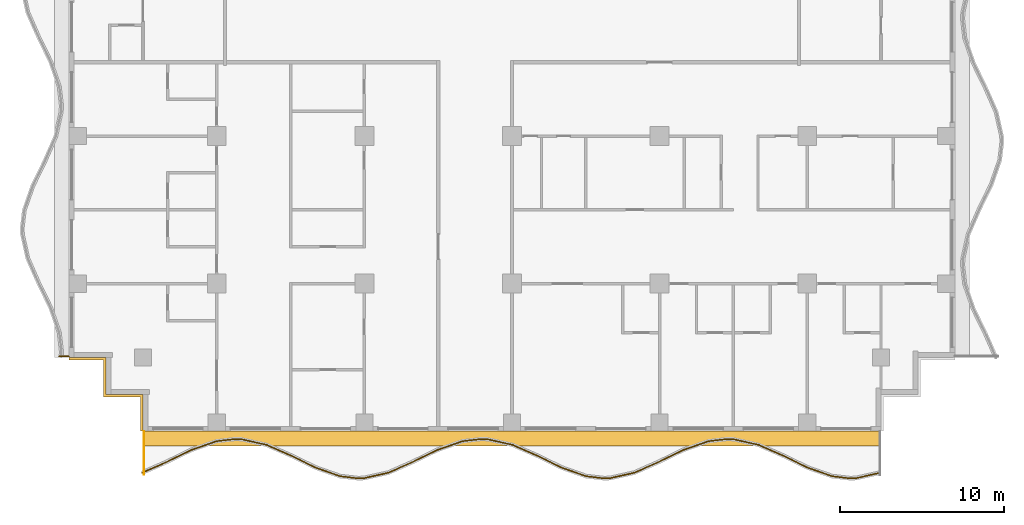
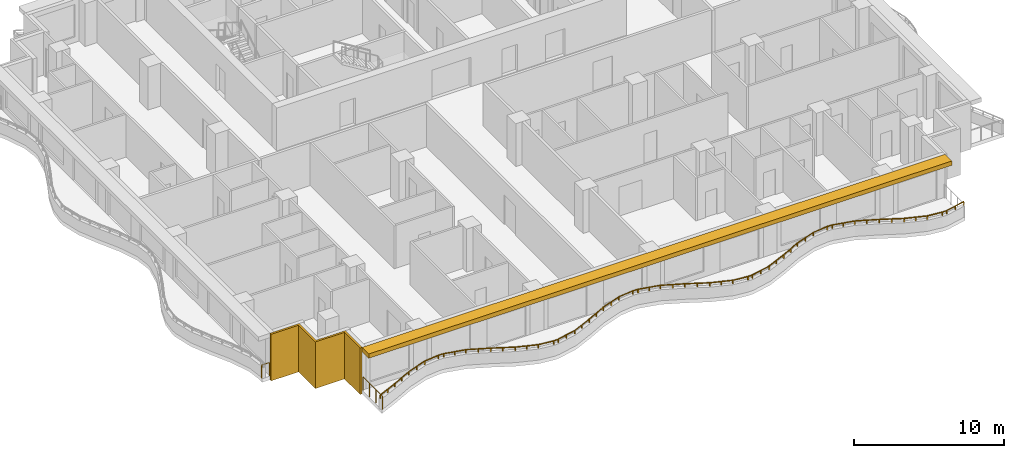
# One storey, part 8 of 11: 3 railings, 2 shading devices.
"""IFC4 building model written with IfcOpenShell, lengths in metres."""

from ifc_helpers import new_model, si_unit, direction, frame, origin, origin_2d, place, context, subcontext, project, spatial, polyline, rectangle, outline, extrude, material, layer, layer_set, type_object, element, save


model = new_model("IFC4")

# Units and contexts
model_context = context("Model", 3, precision=1e-05, world=origin(), true_north=direction((0.0, 1.0)))
body_context = subcontext(model_context, "Body", "Model", "MODEL_VIEW")
ifc_project = project(units=[si_unit("LENGTHUNIT", "METRE"), si_unit("AREAUNIT", "SQUARE_METRE"), si_unit("VOLUMEUNIT", "CUBIC_METRE"), si_unit("PLANEANGLEUNIT", "RADIAN"), si_unit("MASSUNIT", "GRAM", prefix="KILO")], contexts=[model_context])

# Site, building, storey
site_placement = place(None, origin())
site = spatial("IfcSite", under=ifc_project, at=site_placement, CompositionType="ELEMENT")
building_placement = place(site_placement, origin())
building = spatial("IfcBuilding", under=site, at=building_placement, Name="Orbiselva Terraces", CompositionType="ELEMENT")
storey_placement = place(building_placement, frame((0.0, 0.0, 192.0)))
storey = spatial("IfcBuildingStorey", under=building, at=storey_placement, Name="L48", CompositionType="ELEMENT", Elevation=192.0)

# Railings
ifc_material_1 = material(Name="Bonded two-ply safety glass balustrade, stainless steel posts", Category="steel")
railing_type_1 = type_object("IfcRailingType", Name="ENV-BALUSTRADE-1200", PredefinedType="BALUSTRADE", material=ifc_material_1)
railing_1_placement = place(storey_placement, frame((-22.550394, -25.034136, 0.9)))
element("IfcRailing", 1, at=railing_1_placement, inside=storey, type_object=railing_type_1, Name="Balcony balustrade L48 S", PredefinedType="BALUSTRADE", context=body_context, shape_type="SweptSolid", body=[
    extrude(outline(polyline([(0.028868, 0.0), (0.014434, 0.025), (-0.014434, 0.025), (-0.028868, 0.0), (-0.014434, -0.025), (0.014434, -0.025), (0.028868, 0.0)])), frame((0.0, 0.0, 0.275), z_axis=(0.915133498047, 0.403150940408, 0.0), x_axis=(-0.403150940408, 0.915133498047, 0.0)), (0.0, 0.0, 1.0), 1.636648),
    extrude(outline(polyline([(0.028868, 0.0), (0.014434, 0.025), (-0.014434, 0.025), (-0.028868, 0.0), (-0.014434, -0.025), (0.014434, -0.025), (0.028868, 0.0)])), frame((1.497751, 0.659816, 0.275), z_axis=(0.898578870221, 0.438812048596, 0.0), x_axis=(-0.438812048596, 0.898578870221, 0.0)), (0.0, 0.0, 1.0), 1.674225),
    extrude(outline(polyline([(0.028868, 0.0), (0.014434, 0.025), (-0.014434, 0.025), (-0.028868, 0.0), (-0.014434, -0.025), (0.014434, -0.025), (0.028868, 0.0)])), frame((3.002174, 1.394486, 0.275), z_axis=(0.943972332783, 0.330024597479, 0.0), x_axis=(-0.330024597479, 0.943972332783, 0.0)), (0.0, 0.0, 1.0), 1.610253),
    extrude(outline(polyline([(0.028868, 0.0), (0.014434, 0.025), (-0.014434, 0.025), (-0.028868, 0.0), (-0.014434, -0.025), (0.014434, -0.025), (0.028868, 0.0)])), frame((4.522208, 1.925909, 0.275), z_axis=(0.993309551734, 0.115482182324, 0.0), x_axis=(-0.115482182324, 0.993309551734, 0.0)), (0.0, 0.0, 1.0), 1.156135),
    extrude(outline(polyline([(0.028868, 0.0), (0.014434, 0.025), (-0.014434, 0.025), (-0.028868, 0.0), (-0.014434, -0.025), (0.014434, -0.025), (0.028868, 0.0)])), frame((5.670608, 2.059422, 0.275), z_axis=(0.999224734286, -0.03936915532, 0.0), x_axis=(0.03936915532, 0.999224734286, 0.0)), (0.0, 0.0, 1.0), 0.396376),
    extrude(outline(polyline([(0.028868, 0.0), (0.014434, 0.025), (-0.014434, 0.025), (-0.028868, 0.0), (-0.014434, -0.025), (0.014434, -0.025), (0.028868, 0.0)])), frame((6.066677, 2.043817, 0.275), z_axis=(0.97572137947, -0.219015500924, 0.0), x_axis=(0.219015500924, 0.97572137947, 0.0)), (0.0, 0.0, 1.0), 1.560867),
    extrude(outline(polyline([(0.028868, 0.0), (0.014434, 0.025), (-0.014434, 0.025), (-0.028868, 0.0), (-0.014434, -0.025), (0.014434, -0.025), (0.028868, 0.0)])), frame((7.589648, 1.701963, 0.275), z_axis=(0.915133527237, -0.403150874148, 0.0), x_axis=(0.403150874148, 0.915133527237, 0.0)), (0.0, 0.0, 1.0), 1.653736),
    extrude(outline(polyline([(0.028868, 0.0), (0.014434, 0.025), (-0.014434, 0.025), (-0.028868, 0.0), (-0.014434, -0.025), (0.014434, -0.025), (0.028868, 0.0)])), frame((9.103037, 1.035258, 0.275), z_axis=(0.89857890432, -0.438811978768, 0.0), x_axis=(0.438811978768, 0.89857890432, 0.0)), (0.0, 0.0, 1.0), 1.66438),
    extrude(outline(polyline([(0.028868, 0.0), (0.014434, 0.025), (-0.014434, 0.025), (-0.028868, 0.0), (-0.014434, -0.025), (0.014434, -0.025), (0.028868, 0.0)])), frame((10.598614, 0.304908, 0.275), z_axis=(0.943972277814, -0.330024754707, 0.0), x_axis=(0.330024754707, 0.943972277814, 0.0)), (0.0, 0.0, 1.0), 1.567807),
    extrude(outline(polyline([(0.028868, 0.0), (0.014434, 0.025), (-0.014434, 0.025), (-0.028868, 0.0), (-0.014434, -0.025), (0.014434, -0.025), (0.028868, 0.0)])), frame((12.07858, -0.212507, 0.275), z_axis=(0.993309658409, -0.115481264762, 0.0), x_axis=(0.115481264762, 0.993309658409, 0.0)), (0.0, 0.0, 1.0), 1.10902),
    extrude(outline(polyline([(0.028868, 0.0), (0.014434, 0.025), (-0.014434, 0.025), (-0.028868, 0.0), (-0.014434, -0.025), (0.014434, -0.025), (0.028868, 0.0)])), frame((13.18018, -0.340578, 0.275), z_axis=(0.999224931454, 0.039364150694, 0.0), x_axis=(-0.039364150694, 0.999224931454, 0.0)), (0.0, 0.0, 1.0), 0.354206),
    extrude(outline(polyline([(0.028868, 0.0), (0.014434, 0.025), (-0.014434, 0.025), (-0.028868, 0.0), (-0.014434, -0.025), (0.014434, -0.025), (0.028868, 0.0)])), frame((13.534111, -0.326635, 0.275), z_axis=(0.975721325753, 0.219015740235, 0.0), x_axis=(-0.219015740235, 0.975721325753, 0.0)), (0.0, 0.0, 1.0), 1.513782),
    extrude(outline(polyline([(0.028868, 0.0), (0.014434, 0.025), (-0.014434, 0.025), (-0.028868, 0.0), (-0.014434, -0.025), (0.014434, -0.025), (0.028868, 0.0)])), frame((15.01114, 0.004907, 0.275), z_axis=(0.915133363686, 0.403151245402, 0.0), x_axis=(-0.403151245402, 0.915133363686, 0.0)), (0.0, 0.0, 1.0), 1.624475),
    extrude(outline(polyline([(0.028868, 0.0), (0.014434, 0.025), (-0.014434, 0.025), (-0.028868, 0.0), (-0.014434, -0.025), (0.014434, -0.025), (0.028868, 0.0)])), frame((16.497751, 0.659816, 0.275), z_axis=(0.898578870221, 0.438812048596, 0.0), x_axis=(-0.438812048596, 0.898578870221, 0.0)), (0.0, 0.0, 1.0), 1.674225),
    extrude(outline(polyline([(0.028868, 0.0), (0.014434, 0.025), (-0.014434, 0.025), (-0.028868, 0.0), (-0.014434, -0.025), (0.014434, -0.025), (0.028868, 0.0)])), frame((18.002174, 1.394486, 0.275), z_axis=(0.943972332783, 0.330024597479, 0.0), x_axis=(-0.330024597479, 0.943972332783, 0.0)), (0.0, 0.0, 1.0), 1.610253),
    extrude(outline(polyline([(0.028868, 0.0), (0.014434, 0.025), (-0.014434, 0.025), (-0.028868, 0.0), (-0.014434, -0.025), (0.014434, -0.025), (0.028868, 0.0)])), frame((19.522208, 1.925909, 0.275), z_axis=(0.993309551734, 0.115482182324, 0.0), x_axis=(-0.115482182324, 0.993309551734, 0.0)), (0.0, 0.0, 1.0), 1.156135),
    extrude(outline(polyline([(0.028868, 0.0), (0.014434, 0.025), (-0.014434, 0.025), (-0.028868, 0.0), (-0.014434, -0.025), (0.014434, -0.025), (0.028868, 0.0)])), frame((20.670608, 2.059422, 0.275), z_axis=(0.999224734286, -0.03936915532, 0.0), x_axis=(0.03936915532, 0.999224734286, 0.0)), (0.0, 0.0, 1.0), 0.396376),
    extrude(outline(polyline([(0.028868, 0.0), (0.014434, 0.025), (-0.014434, 0.025), (-0.028868, 0.0), (-0.014434, -0.025), (0.014434, -0.025), (0.028868, 0.0)])), frame((21.066677, 2.043817, 0.275), z_axis=(0.97572137947, -0.219015500924, 0.0), x_axis=(0.219015500924, 0.97572137947, 0.0)), (0.0, 0.0, 1.0), 1.560867),
    extrude(outline(polyline([(0.028868, 0.0), (0.014434, 0.025), (-0.014434, 0.025), (-0.028868, 0.0), (-0.014434, -0.025), (0.014434, -0.025), (0.028868, 0.0)])), frame((22.589648, 1.701963, 0.275), z_axis=(0.915133527237, -0.403150874148, 0.0), x_axis=(0.403150874148, 0.915133527237, 0.0)), (0.0, 0.0, 1.0), 1.653736),
    extrude(outline(polyline([(0.028868, 0.0), (0.014434, 0.025), (-0.014434, 0.025), (-0.028868, 0.0), (-0.014434, -0.025), (0.014434, -0.025), (0.028868, 0.0)])), frame((24.103037, 1.035258, 0.275), z_axis=(0.89857890432, -0.438811978768, 0.0), x_axis=(0.438811978768, 0.89857890432, 0.0)), (0.0, 0.0, 1.0), 1.66438),
    extrude(outline(polyline([(0.028868, 0.0), (0.014434, 0.025), (-0.014434, 0.025), (-0.028868, 0.0), (-0.014434, -0.025), (0.014434, -0.025), (0.028868, 0.0)])), frame((25.598614, 0.304908, 0.275), z_axis=(0.943972277814, -0.330024754707, 0.0), x_axis=(0.330024754707, 0.943972277814, 0.0)), (0.0, 0.0, 1.0), 1.567807),
    extrude(outline(polyline([(0.028868, 0.0), (0.014434, 0.025), (-0.014434, 0.025), (-0.028868, 0.0), (-0.014434, -0.025), (0.014434, -0.025), (0.028868, 0.0)])), frame((27.07858, -0.212507, 0.275), z_axis=(0.993309658409, -0.115481264762, 0.0), x_axis=(0.115481264762, 0.993309658409, 0.0)), (0.0, 0.0, 1.0), 1.10902),
    extrude(outline(polyline([(0.028868, 0.0), (0.014434, 0.025), (-0.014434, 0.025), (-0.028868, 0.0), (-0.014434, -0.025), (0.014434, -0.025), (0.028868, 0.0)])), frame((28.18018, -0.340578, 0.275), z_axis=(0.999224931454, 0.039364150694, 0.0), x_axis=(-0.039364150694, 0.999224931454, 0.0)), (0.0, 0.0, 1.0), 0.354206),
    extrude(outline(polyline([(0.028868, 0.0), (0.014434, 0.025), (-0.014434, 0.025), (-0.028868, 0.0), (-0.014434, -0.025), (0.014434, -0.025), (0.028868, 0.0)])), frame((28.534111, -0.326635, 0.275), z_axis=(0.975721325753, 0.219015740235, 0.0), x_axis=(-0.219015740235, 0.975721325753, 0.0)), (0.0, 0.0, 1.0), 1.513782),
    extrude(outline(polyline([(0.028868, 0.0), (0.014434, 0.025), (-0.014434, 0.025), (-0.028868, 0.0), (-0.014434, -0.025), (0.014434, -0.025), (0.028868, 0.0)])), frame((30.01114, 0.004907, 0.275), z_axis=(0.915133363686, 0.403151245402, 0.0), x_axis=(-0.403151245402, 0.915133363686, 0.0)), (0.0, 0.0, 1.0), 1.624475),
    extrude(outline(polyline([(0.028868, 0.0), (0.014434, 0.025), (-0.014434, 0.025), (-0.028868, 0.0), (-0.014434, -0.025), (0.014434, -0.025), (0.028868, 0.0)])), frame((31.497751, 0.659816, 0.275), z_axis=(0.898578870221, 0.438812048596, 0.0), x_axis=(-0.438812048596, 0.898578870221, 0.0)), (0.0, 0.0, 1.0), 1.674225),
    extrude(outline(polyline([(0.028868, 0.0), (0.014434, 0.025), (-0.014434, 0.025), (-0.028868, 0.0), (-0.014434, -0.025), (0.014434, -0.025), (0.028868, 0.0)])), frame((33.002174, 1.394486, 0.275), z_axis=(0.943972332783, 0.330024597479, 0.0), x_axis=(-0.330024597479, 0.943972332783, 0.0)), (0.0, 0.0, 1.0), 1.610253),
    extrude(outline(polyline([(0.028868, 0.0), (0.014434, 0.025), (-0.014434, 0.025), (-0.028868, 0.0), (-0.014434, -0.025), (0.014434, -0.025), (0.028868, 0.0)])), frame((34.522208, 1.925909, 0.275), z_axis=(0.993309551734, 0.115482182324, 0.0), x_axis=(-0.115482182324, 0.993309551734, 0.0)), (0.0, 0.0, 1.0), 1.156135),
    extrude(outline(polyline([(0.028868, 0.0), (0.014434, 0.025), (-0.014434, 0.025), (-0.028868, 0.0), (-0.014434, -0.025), (0.014434, -0.025), (0.028868, 0.0)])), frame((35.670608, 2.059422, 0.275), z_axis=(0.999224734286, -0.03936915532, 0.0), x_axis=(0.03936915532, 0.999224734286, 0.0)), (0.0, 0.0, 1.0), 0.396376),
    extrude(outline(polyline([(0.028868, 0.0), (0.014434, 0.025), (-0.014434, 0.025), (-0.028868, 0.0), (-0.014434, -0.025), (0.014434, -0.025), (0.028868, 0.0)])), frame((36.066677, 2.043817, 0.275), z_axis=(0.97572137947, -0.219015500924, 0.0), x_axis=(0.219015500924, 0.97572137947, 0.0)), (0.0, 0.0, 1.0), 1.560867),
    extrude(outline(polyline([(0.028868, 0.0), (0.014434, 0.025), (-0.014434, 0.025), (-0.028868, 0.0), (-0.014434, -0.025), (0.014434, -0.025), (0.028868, 0.0)])), frame((37.589648, 1.701963, 0.275), z_axis=(0.915133527237, -0.403150874148, 0.0), x_axis=(0.403150874148, 0.915133527237, 0.0)), (0.0, 0.0, 1.0), 1.653736),
    extrude(outline(polyline([(0.028868, 0.0), (0.014434, 0.025), (-0.014434, 0.025), (-0.028868, 0.0), (-0.014434, -0.025), (0.014434, -0.025), (0.028868, 0.0)])), frame((39.103037, 1.035258, 0.275), z_axis=(0.89857890432, -0.438811978768, 0.0), x_axis=(0.438811978768, 0.89857890432, 0.0)), (0.0, 0.0, 1.0), 1.66438),
    extrude(outline(polyline([(0.028868, 0.0), (0.014434, 0.025), (-0.014434, 0.025), (-0.028868, 0.0), (-0.014434, -0.025), (0.014434, -0.025), (0.028868, 0.0)])), frame((40.598614, 0.304908, 0.275), z_axis=(0.943972277814, -0.330024754707, 0.0), x_axis=(0.330024754707, 0.943972277814, 0.0)), (0.0, 0.0, 1.0), 1.567807),
    extrude(outline(polyline([(0.028868, 0.0), (0.014434, 0.025), (-0.014434, 0.025), (-0.028868, 0.0), (-0.014434, -0.025), (0.014434, -0.025), (0.028868, 0.0)])), frame((42.07858, -0.212507, 0.275), z_axis=(0.993309658409, -0.115481264762, 0.0), x_axis=(0.115481264762, 0.993309658409, 0.0)), (0.0, 0.0, 1.0), 1.10902),
    extrude(outline(polyline([(0.028868, 0.0), (0.014434, 0.025), (-0.014434, 0.025), (-0.028868, 0.0), (-0.014434, -0.025), (0.014434, -0.025), (0.028868, 0.0)])), frame((43.18018, -0.340578, 0.275), z_axis=(0.999224931454, 0.039364150694, 0.0), x_axis=(-0.039364150694, 0.999224931454, 0.0)), (0.0, 0.0, 1.0), 0.354206),
    extrude(outline(polyline([(0.028868, 0.0), (0.014434, 0.025), (-0.014434, 0.025), (-0.028868, 0.0), (-0.014434, -0.025), (0.014434, -0.025), (0.028868, 0.0)])), frame((43.534111, -0.326635, 0.275), z_axis=(0.975721322437, 0.21901575501, 0.0), x_axis=(-0.21901575501, 0.975721322437, 0.0)), (0.0, 0.0, 1.0), 1.525954),
    extrude(rectangle(XDim=0.05, YDim=0.05, at=origin_2d()), origin(), (0.0, 0.0, 1.0), 0.25),
    extrude(rectangle(XDim=0.05, YDim=0.05, at=origin_2d()), frame((0.748876, 0.329908, 0.0)), (0.0, 0.0, 1.0), 0.25),
    extrude(rectangle(XDim=0.05, YDim=0.05, at=origin_2d()), frame((1.497751, 0.659816, 0.0)), (0.0, 0.0, 1.0), 0.25),
    extrude(rectangle(XDim=0.05, YDim=0.05, at=origin_2d()), frame((2.249963, 1.027151, 0.0)), (0.0, 0.0, 1.0), 0.25),
    extrude(rectangle(XDim=0.05, YDim=0.05, at=origin_2d()), frame((3.002174, 1.394486, 0.0)), (0.0, 0.0, 1.0), 0.25),
    extrude(rectangle(XDim=0.05, YDim=0.05, at=origin_2d()), frame((3.762191, 1.660198, 0.0)), (0.0, 0.0, 1.0), 0.25),
    extrude(rectangle(XDim=0.05, YDim=0.05, at=origin_2d()), frame((4.522208, 1.925909, 0.0)), (0.0, 0.0, 1.0), 0.25),
    extrude(rectangle(XDim=0.05, YDim=0.05, at=origin_2d()), frame((5.670608, 2.059422, 0.0)), (0.0, 0.0, 1.0), 0.25),
    extrude(rectangle(XDim=0.05, YDim=0.05, at=origin_2d()), frame((6.066677, 2.043817, 0.0)), (0.0, 0.0, 1.0), 0.25),
    extrude(rectangle(XDim=0.05, YDim=0.05, at=origin_2d()), frame((6.828163, 1.87289, 0.0)), (0.0, 0.0, 1.0), 0.25),
    extrude(rectangle(XDim=0.05, YDim=0.05, at=origin_2d()), frame((7.589648, 1.701963, 0.0)), (0.0, 0.0, 1.0), 0.25),
    extrude(rectangle(XDim=0.05, YDim=0.05, at=origin_2d()), frame((8.346342, 1.36861, 0.0)), (0.0, 0.0, 1.0), 0.25),
    extrude(rectangle(XDim=0.05, YDim=0.05, at=origin_2d()), frame((9.103037, 1.035258, 0.0)), (0.0, 0.0, 1.0), 0.25),
    extrude(rectangle(XDim=0.05, YDim=0.05, at=origin_2d()), frame((9.850826, 0.670083, 0.0)), (0.0, 0.0, 1.0), 0.25),
    extrude(rectangle(XDim=0.05, YDim=0.05, at=origin_2d()), frame((10.598614, 0.304908, 0.0)), (0.0, 0.0, 1.0), 0.25),
    extrude(rectangle(XDim=0.05, YDim=0.05, at=origin_2d()), frame((11.338597, 0.046201, 0.0)), (0.0, 0.0, 1.0), 0.25),
    extrude(rectangle(XDim=0.05, YDim=0.05, at=origin_2d()), frame((12.07858, -0.212507, 0.0)), (0.0, 0.0, 1.0), 0.25),
    extrude(rectangle(XDim=0.05, YDim=0.05, at=origin_2d()), frame((13.18018, -0.340578, 0.0)), (0.0, 0.0, 1.0), 0.25),
    extrude(rectangle(XDim=0.05, YDim=0.05, at=origin_2d()), frame((13.534111, -0.326635, 0.0)), (0.0, 0.0, 1.0), 0.25),
    extrude(rectangle(XDim=0.05, YDim=0.05, at=origin_2d()), frame((14.272626, -0.160864, 0.0)), (0.0, 0.0, 1.0), 0.25),
    extrude(rectangle(XDim=0.05, YDim=0.05, at=origin_2d()), frame((15.01114, 0.004907, 0.0)), (0.0, 0.0, 1.0), 0.25),
    extrude(rectangle(XDim=0.05, YDim=0.05, at=origin_2d()), frame((15.754446, 0.332361, 0.0)), (0.0, 0.0, 1.0), 0.25),
    extrude(rectangle(XDim=0.05, YDim=0.05, at=origin_2d()), frame((16.497751, 0.659816, 0.0)), (0.0, 0.0, 1.0), 0.25),
    extrude(rectangle(XDim=0.05, YDim=0.05, at=origin_2d()), frame((17.249963, 1.027151, 0.0)), (0.0, 0.0, 1.0), 0.25),
    extrude(rectangle(XDim=0.05, YDim=0.05, at=origin_2d()), frame((18.002174, 1.394486, 0.0)), (0.0, 0.0, 1.0), 0.25),
    extrude(rectangle(XDim=0.05, YDim=0.05, at=origin_2d()), frame((18.762191, 1.660198, 0.0)), (0.0, 0.0, 1.0), 0.25),
    extrude(rectangle(XDim=0.05, YDim=0.05, at=origin_2d()), frame((19.522208, 1.925909, 0.0)), (0.0, 0.0, 1.0), 0.25),
    extrude(rectangle(XDim=0.05, YDim=0.05, at=origin_2d()), frame((20.670608, 2.059422, 0.0)), (0.0, 0.0, 1.0), 0.25),
    extrude(rectangle(XDim=0.05, YDim=0.05, at=origin_2d()), frame((21.066677, 2.043817, 0.0)), (0.0, 0.0, 1.0), 0.25),
    extrude(rectangle(XDim=0.05, YDim=0.05, at=origin_2d()), frame((21.828162, 1.87289, 0.0)), (0.0, 0.0, 1.0), 0.25),
    extrude(rectangle(XDim=0.05, YDim=0.05, at=origin_2d()), frame((22.589648, 1.701963, 0.0)), (0.0, 0.0, 1.0), 0.25),
    extrude(rectangle(XDim=0.05, YDim=0.05, at=origin_2d()), frame((23.346342, 1.36861, 0.0)), (0.0, 0.0, 1.0), 0.25),
    extrude(rectangle(XDim=0.05, YDim=0.05, at=origin_2d()), frame((24.103037, 1.035258, 0.0)), (0.0, 0.0, 1.0), 0.25),
    extrude(rectangle(XDim=0.05, YDim=0.05, at=origin_2d()), frame((24.850826, 0.670083, 0.0)), (0.0, 0.0, 1.0), 0.25),
    extrude(rectangle(XDim=0.05, YDim=0.05, at=origin_2d()), frame((25.598614, 0.304908, 0.0)), (0.0, 0.0, 1.0), 0.25),
    extrude(rectangle(XDim=0.05, YDim=0.05, at=origin_2d()), frame((26.338597, 0.046201, 0.0)), (0.0, 0.0, 1.0), 0.25),
    extrude(rectangle(XDim=0.05, YDim=0.05, at=origin_2d()), frame((27.07858, -0.212507, 0.0)), (0.0, 0.0, 1.0), 0.25),
    extrude(rectangle(XDim=0.05, YDim=0.05, at=origin_2d()), frame((28.18018, -0.340578, 0.0)), (0.0, 0.0, 1.0), 0.25),
    extrude(rectangle(XDim=0.05, YDim=0.05, at=origin_2d()), frame((28.534111, -0.326635, 0.0)), (0.0, 0.0, 1.0), 0.25),
    extrude(rectangle(XDim=0.05, YDim=0.05, at=origin_2d()), frame((29.272626, -0.160864, 0.0)), (0.0, 0.0, 1.0), 0.25),
    extrude(rectangle(XDim=0.05, YDim=0.05, at=origin_2d()), frame((30.01114, 0.004907, 0.0)), (0.0, 0.0, 1.0), 0.25),
    extrude(rectangle(XDim=0.05, YDim=0.05, at=origin_2d()), frame((30.754446, 0.332361, 0.0)), (0.0, 0.0, 1.0), 0.25),
    extrude(rectangle(XDim=0.05, YDim=0.05, at=origin_2d()), frame((31.497751, 0.659816, 0.0)), (0.0, 0.0, 1.0), 0.25),
    extrude(rectangle(XDim=0.05, YDim=0.05, at=origin_2d()), frame((32.249962, 1.027151, 0.0)), (0.0, 0.0, 1.0), 0.25),
    extrude(rectangle(XDim=0.05, YDim=0.05, at=origin_2d()), frame((33.002174, 1.394486, 0.0)), (0.0, 0.0, 1.0), 0.25),
    extrude(rectangle(XDim=0.05, YDim=0.05, at=origin_2d()), frame((33.762191, 1.660198, 0.0)), (0.0, 0.0, 1.0), 0.25),
    extrude(rectangle(XDim=0.05, YDim=0.05, at=origin_2d()), frame((34.522208, 1.925909, 0.0)), (0.0, 0.0, 1.0), 0.25),
    extrude(rectangle(XDim=0.05, YDim=0.05, at=origin_2d()), frame((35.670608, 2.059422, 0.0)), (0.0, 0.0, 1.0), 0.25),
    extrude(rectangle(XDim=0.05, YDim=0.05, at=origin_2d()), frame((36.066677, 2.043817, 0.0)), (0.0, 0.0, 1.0), 0.25),
    extrude(rectangle(XDim=0.05, YDim=0.05, at=origin_2d()), frame((36.828162, 1.87289, 0.0)), (0.0, 0.0, 1.0), 0.25),
    extrude(rectangle(XDim=0.05, YDim=0.05, at=origin_2d()), frame((37.589648, 1.701963, 0.0)), (0.0, 0.0, 1.0), 0.25),
    extrude(rectangle(XDim=0.05, YDim=0.05, at=origin_2d()), frame((38.346342, 1.36861, 0.0)), (0.0, 0.0, 1.0), 0.25),
    extrude(rectangle(XDim=0.05, YDim=0.05, at=origin_2d()), frame((39.103037, 1.035258, 0.0)), (0.0, 0.0, 1.0), 0.25),
    extrude(rectangle(XDim=0.05, YDim=0.05, at=origin_2d()), frame((39.850826, 0.670083, 0.0)), (0.0, 0.0, 1.0), 0.25),
    extrude(rectangle(XDim=0.05, YDim=0.05, at=origin_2d()), frame((40.598614, 0.304908, 0.0)), (0.0, 0.0, 1.0), 0.25),
    extrude(rectangle(XDim=0.05, YDim=0.05, at=origin_2d()), frame((41.338597, 0.046201, 0.0)), (0.0, 0.0, 1.0), 0.25),
    extrude(rectangle(XDim=0.05, YDim=0.05, at=origin_2d()), frame((42.07858, -0.212507, 0.0)), (0.0, 0.0, 1.0), 0.25),
    extrude(rectangle(XDim=0.05, YDim=0.05, at=origin_2d()), frame((43.18018, -0.340578, 0.0)), (0.0, 0.0, 1.0), 0.25),
    extrude(rectangle(XDim=0.05, YDim=0.05, at=origin_2d()), frame((43.534111, -0.326635, 0.0)), (0.0, 0.0, 1.0), 0.25),
    extrude(rectangle(XDim=0.05, YDim=0.05, at=origin_2d()), frame((44.278564, -0.159531, 0.0)), (0.0, 0.0, 1.0), 0.25),
    extrude(rectangle(XDim=0.05, YDim=0.05, at=origin_2d()), frame((45.023017, 0.007573, 0.0)), (0.0, 0.0, 1.0), 0.25),
])
ifc_material_2 = material(Name="Stainless steel rail and posts", Category="steel")
railing_type_2 = type_object("IfcRailingType", Name="ENV-GUARD-1105", PredefinedType="BALUSTRADE", material=ifc_material_2)
railing_2_placement = place(storey_placement, frame((-22.44, -25.126937, 0.0)))
element("IfcRailing", 2, at=railing_2_placement, inside=storey, type_object=railing_type_2, Name="Balcony end guard L48 S", PredefinedType="BALUSTRADE", context=body_context, shape_type="SweptSolid", body=[
    extrude(outline(polyline([(0.028868, 0.0), (0.014434, 0.025), (-0.014434, 0.025), (-0.028868, 0.0), (-0.014434, -0.025), (0.014434, -0.025), (0.028868, 0.0)])), frame((0.0, 0.0, 1.08), z_axis=(0.0, 1.0, 0.0), x_axis=(-1.0, 0.0, 0.0)), (0.0, 0.0, 1.0), 2.601937),
    extrude(rectangle(XDim=0.05, YDim=0.05, at=origin_2d()), origin(), (0.0, 0.0, 1.0), 1.055),
    extrude(rectangle(XDim=0.05, YDim=0.05, at=origin_2d()), frame((0.0, 0.867312, 0.0)), (0.0, 0.0, 1.0), 1.055),
    extrude(rectangle(XDim=0.05, YDim=0.05, at=origin_2d()), frame((0.0, 1.734625, 0.0)), (0.0, 0.0, 1.0), 1.055),
    extrude(rectangle(XDim=0.05, YDim=0.05, at=origin_2d()), frame((0.0, 2.601937, 0.0)), (0.0, 0.0, 1.0), 1.055),
])
railing_3_placement = place(storey_placement, frame((-27.610431, -17.94, 0.0)))
element("IfcRailing", 3, at=railing_3_placement, inside=storey, type_object=railing_type_2, Name="Balcony end guard L48 W", PredefinedType="BALUSTRADE", context=body_context, shape_type="SweptSolid", body=[
    extrude(outline(polyline([(0.028868, 0.0), (0.014434, 0.025), (-0.014434, 0.025), (-0.028868, 0.0), (-0.014434, -0.025), (0.014434, -0.025), (0.028868, 0.0)])), frame((0.0, 0.0, 1.08), z_axis=(1.0, 0.0, 0.0), x_axis=(0.0, 1.0, 0.0)), (0.0, 0.0, 1.0), 0.585431),
    extrude(rectangle(XDim=0.05, YDim=0.05, at=origin_2d()), origin(), (0.0, 0.0, 1.0), 1.055),
    extrude(rectangle(XDim=0.05, YDim=0.05, at=origin_2d()), frame((0.585431, 0.0, 0.0)), (0.0, 0.0, 1.0), 1.055),
])

# Shading devices
ifc_material_3 = material(Name="Terracotta louvre screen", Category="masonry")
ifc_layer_1 = layer(ifc_material_3, 0.15)
ifc_layer_set_1 = layer_set([ifc_layer_1], Name="Terracotta louvre screen")
shading_device_type_1 = type_object("IfcShadingDeviceType", Name="ENV-SCREEN-150", PredefinedType="USERDEFINED", material=ifc_layer_set_1)
shading_device_1_placement = place(storey_placement, frame((0.0, 0.0, -0.3)))
element("IfcShadingDevice", 4, at=shading_device_1_placement, inside=storey, type_object=shading_device_type_1, Name="Louvre screen L48 SW", ObjectType="SCREEN", PredefinedType="USERDEFINED", context=body_context, shape_type="SweptSolid", body=[
    extrude(outline(polyline([(-27.0, -18.15), (-24.9, -18.15), (-24.9, -20.4), (-22.65, -20.4), (-22.65, -22.5), (-22.5, -22.5), (-22.5, -20.25), (-24.75, -20.25), (-24.75, -18.0), (-27.0, -18.0), (-27.0, -18.15)])), origin(), (0.0, 0.0, 1.0), 3.8),
])
ifc_material_4 = material(Name="Terracotta baguette sunshade", Category="masonry")
ifc_layer_2 = layer(ifc_material_4, 0.35)
ifc_layer_set_2 = layer_set([ifc_layer_2], Name="Terracotta baguette sunshade")
shading_device_type_2 = type_object("IfcShadingDeviceType", Name="ENV-SUNSHADE-900x350", PredefinedType="USERDEFINED", material=ifc_layer_set_2)
shading_device_2_placement = place(storey_placement, frame((0.0, 0.0, 3.15)))
element("IfcShadingDevice", 5, at=shading_device_2_placement, inside=storey, type_object=shading_device_type_2, Name="Sunshade band L48 S", ObjectType="SUNSHADE", PredefinedType="USERDEFINED", context=body_context, shape_type="SweptSolid", body=[
    extrude(outline(polyline([(-22.5, -23.4), (22.5, -23.4), (22.5, -22.5), (-22.5, -22.5), (-22.5, -23.4)])), origin(), (0.0, 0.0, 1.0), 0.35),
])

save(model, "model.ifc")
